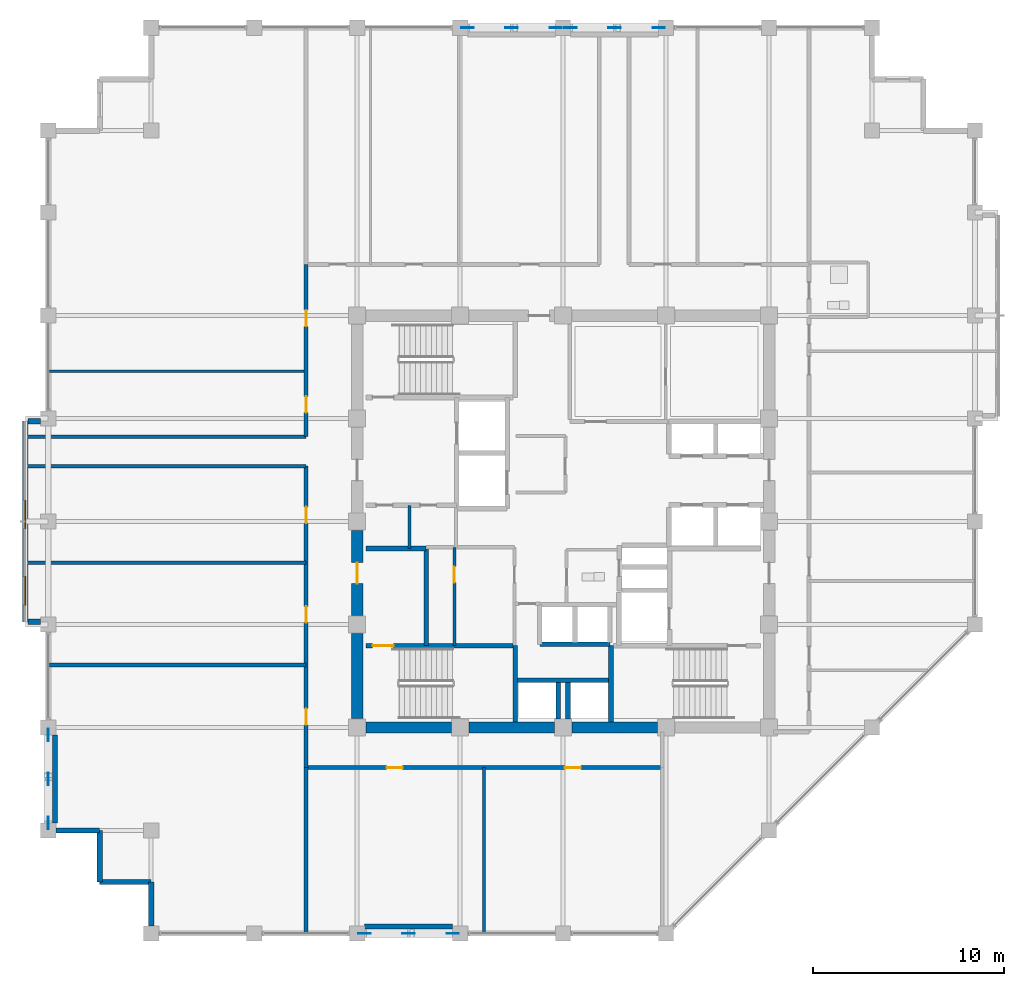
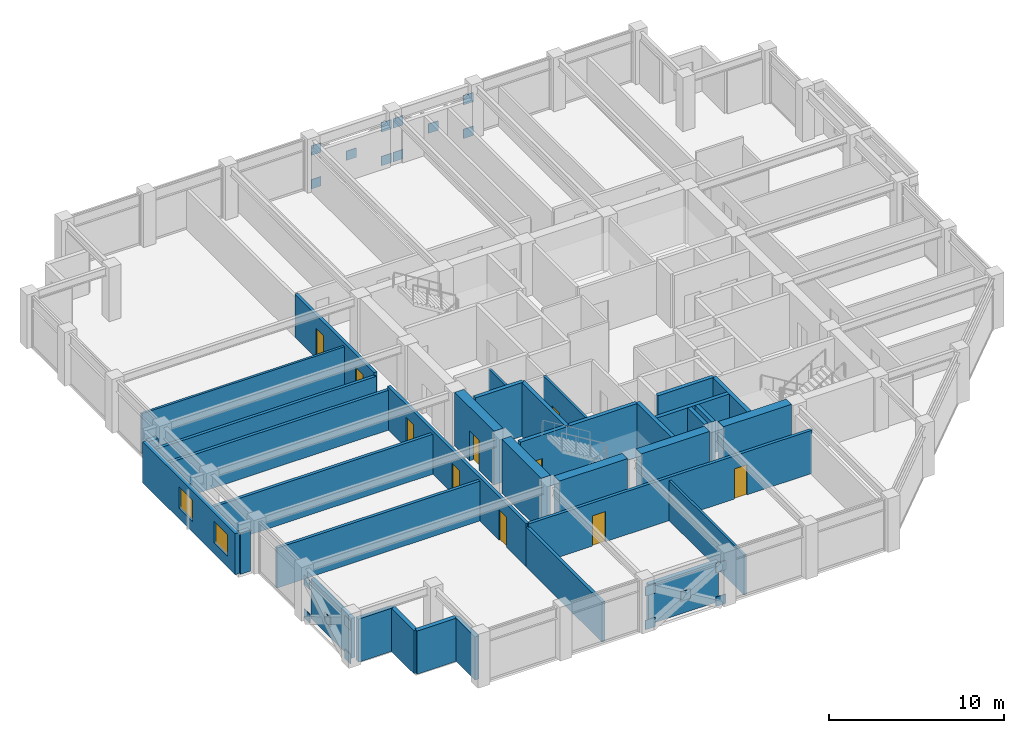
# One storey, part 24 of 30: 35 walls, 20 plates, 10 doors, 2 windows, 12 openings.
"""IFC4 building model written with IfcOpenShell, lengths in metres."""

from ifc_helpers import new_model, si_unit, direction, frame, frame_2d, origin, origin_2d, place, context, subcontext, project, spatial, rectangle, extrude, material, layer, layer_set, type_object, element, fill, save


model = new_model("IFC4")

# Units and contexts
model_context = context("Model", 3, precision=1e-05, world=origin(), true_north=direction((0.0, 1.0)))
body_context = subcontext(model_context, "Body", "Model", "MODEL_VIEW")
ifc_project = project(units=[si_unit("LENGTHUNIT", "METRE"), si_unit("AREAUNIT", "SQUARE_METRE"), si_unit("VOLUMEUNIT", "CUBIC_METRE"), si_unit("PLANEANGLEUNIT", "RADIAN"), si_unit("MASSUNIT", "GRAM", prefix="KILO")], contexts=[model_context])

# Site, building, storey
site_placement = place(None, origin())
site = spatial("IfcSite", under=ifc_project, at=site_placement, CompositionType="ELEMENT")
building_placement = place(site_placement, origin())
building = spatial("IfcBuilding", under=site, at=building_placement, Name="Surkhivell Harbour Commons", CompositionType="ELEMENT")
storey_placement = place(building_placement, frame((0.0, 0.0, 227.25)))
storey = spatial("IfcBuildingStorey", under=building, at=storey_placement, Name="L59", CompositionType="ELEMENT", Elevation=227.25)

# Plates
ifc_material_1 = material(Name="Steel S460", Category="steel")
ifc_layer_1 = layer(ifc_material_1, 0.044921875)
ifc_layer_set_1 = layer_set([ifc_layer_1], Name="Steel S460")
plate_type = type_object("IfcPlateType", Name="PLT-GUS-650", PredefinedType="USERDEFINED", material=ifc_layer_set_1)
for number, where, z_axis, x_axis, name in (
    (1, (-5.014892578125, 25.89990234375, -0.08935546875), (0.0, 0.0, 1.0), (1.0, 0.0, 0.0), "L59 Perimeter Mega-Brace MB- Corner Gusset N-1"),
    (2, (-0.385009765625, 25.89990234375, -0.08935546875), (0.0, 0.0, 1.0), (1.0, 0.0, 0.0), "L59 Perimeter Mega-Brace MB- Corner Gusset N-2"),
    (3, (-5.014892578125, 25.89990234375, 2.25146484375), (0.0, 0.0, 1.0), (1.0, 0.0, 0.0), "L59 Perimeter Mega-Brace MB- Corner Gusset N-3"),
    (4, (-0.385009765625, 25.89990234375, 2.25146484375), (0.0, 0.0, 1.0), (1.0, 0.0, 0.0), "L59 Perimeter Mega-Brace MB- Corner Gusset N-4"),
    (5, (-2.699951171875, 25.89990234375, 1.0810546875), (0.0, 0.0, 1.0), (1.0, 0.0, 0.0), "L59 Perimeter Mega-Brace MB- Central Crossing Gusset N"),
    (6, (0.385009765625, 25.89990234375, -0.08935546875), (0.0, 0.0, 1.0), (1.0, 0.0, 0.0), "L59 Perimeter Mega-Brace MB- Corner Gusset N2-1"),
    (7, (5.014892578125, 25.89990234375, -0.08935546875), (0.0, 0.0, 1.0), (1.0, 0.0, 0.0), "L59 Perimeter Mega-Brace MB- Corner Gusset N2-2"),
    (8, (0.385009765625, 25.89990234375, 2.25146484375), (0.0, 0.0, 1.0), (1.0, 0.0, 0.0), "L59 Perimeter Mega-Brace MB- Corner Gusset N2-3"),
    (9, (5.014892578125, 25.89990234375, 2.25146484375), (0.0, 0.0, 1.0), (1.0, 0.0, 0.0), "L59 Perimeter Mega-Brace MB- Corner Gusset N2-4"),
    (10, (2.699951171875, 25.89990234375, 1.0810546875), (0.0, 0.0, 1.0), (1.0, 0.0, 0.0), "L59 Perimeter Mega-Brace MB- Central Crossing Gusset N2"),
    (11, (-10.4150390625, -21.60009765625, -0.08935546875), (0.0, 0.0, 1.0), (1.0, 0.0, 0.0), "L59 Perimeter Mega-Brace MB- Corner Gusset S-1"),
    (12, (-5.784912109375, -21.60009765625, -0.08935546875), (0.0, 0.0, 1.0), (1.0, 0.0, 0.0), "L59 Perimeter Mega-Brace MB- Corner Gusset S-2"),
    (13, (-10.4150390625, -21.60009765625, 2.25146484375), (0.0, 0.0, 1.0), (1.0, 0.0, 0.0), "L59 Perimeter Mega-Brace MB- Corner Gusset S-3"),
    (14, (-5.784912109375, -21.60009765625, 2.25146484375), (0.0, 0.0, 1.0), (1.0, 0.0, 0.0), "L59 Perimeter Mega-Brace MB- Corner Gusset S-4"),
    (15, (-8.10009765625, -21.60009765625, 1.0810546875), (0.0, 0.0, 1.0), (1.0, 0.0, 0.0), "L59 Perimeter Mega-Brace MB- Central Crossing Gusset S"),
    (16, (-27.0, -15.81494140625, -0.08935546875), (0.0, 0.0, 1.0), (0.0, 1.0, 0.0), "L59 Perimeter Mega-Brace MB- Corner Gusset W-1"),
    (17, (-27.0, -11.18505859375, -0.08935546875), (0.0, 0.0, 1.0), (0.0, 1.0, 0.0), "L59 Perimeter Mega-Brace MB- Corner Gusset W-2"),
    (18, (-27.0, -15.81494140625, 2.25146484375), (0.0, 0.0, 1.0), (0.0, 1.0, 0.0), "L59 Perimeter Mega-Brace MB- Corner Gusset W-3"),
    (19, (-27.0, -11.18505859375, 2.25146484375), (0.0, 0.0, 1.0), (0.0, 1.0, 0.0), "L59 Perimeter Mega-Brace MB- Corner Gusset W-4"),
    (20, (-27.0, -13.5, 1.0810546875), (0.0, 0.0, 1.0), (0.0, 1.0, 0.0), "L59 Perimeter Mega-Brace MB- Central Crossing Gusset W"),
):
    element("IfcPlate", number, at=place(storey_placement, frame(where, z_axis=z_axis, x_axis=x_axis)), inside=storey, type_object=plate_type, Name=name, ObjectType="GUSSET_PLATE", PredefinedType="USERDEFINED", context=body_context, shape_type="SweptSolid", body=[
        extrude(rectangle(XDim=0.64990234375, YDim=0.044921875, at=origin_2d()), origin(), (0.0, 0.0, 1.0), 0.64990234375),
    ])

# Walls
ifc_material_2 = material(Name="Concrete C60/75", Category="concrete")
ifc_layer_2 = layer(ifc_material_2, 0.60009765625)
ifc_layer_set_2 = layer_set([ifc_layer_2], Name="Concrete C60/75")
wall_type_1 = type_object("IfcWallType", Name="WAL-CORE-600", PredefinedType="SHEAR", material=ifc_layer_set_2)
for number, where, z_axis, x_axis, name in (
    (21, (-10.340087890625, -10.800048828125, 0.0), (0.0, 0.0, 1.0), (1.0, 0.0, 0.0), "L59 Core Shear Wall South 1"),
    (22, (-10.800048828125, -10.340087890625, 0.0), (0.0, 0.0, 1.0), (0.0, 1.0, 0.0), "L59 Core Shear Wall West 1"),
    (23, (-4.93994140625, -10.800048828125, 0.0), (0.0, 0.0, 1.0), (1.0, 0.0, 0.0), "L59 Core Shear Wall South 2"),
):
    element("IfcWall", number, at=place(storey_placement, frame(where, z_axis=z_axis, x_axis=x_axis)), inside=storey, type_object=wall_type_1, Name=name, PredefinedType="SHEAR", context=body_context, shape_type="SweptSolid", body=[
        extrude(rectangle(XDim=4.47998046875, YDim=0.60009765625, at=frame_2d((2.239990234375, 0.0))), origin(), (0.0, 0.0, 1.0), 3.75),
    ])

# Wall, opening, door
wall_1_placement = place(storey_placement, frame((-10.800048828125, -4.93994140625, 0.0), z_axis=(0.0, 0.0, 1.0), x_axis=(0.0, 1.0, 0.0)))
wall_1 = element("IfcWall", 24, at=wall_1_placement, inside=storey, type_object=wall_type_1, Name="L59 Core Shear Wall West 2", PredefinedType="SHEAR", context=body_context, shape_type="SweptSolid", body=[
    extrude(rectangle(XDim=4.47998046875, YDim=0.60009765625, at=frame_2d((2.239990234375, 0.0))), origin(), (0.0, 0.0, 1.0), 3.75),
])
opening_1_placement = place(wall_1_placement, frame((1.68994140625, 0.0, 0.0)))
opening_1 = element("IfcOpeningElement", 25, at=opening_1_placement, cuts=wall_1, Name="Opening ID-2", PredefinedType="OPENING", context=body_context, shape_type="SweptSolid", body=[
    extrude(rectangle(XDim=1.10009765625, YDim=2.10009765625, at=frame_2d((0.550048828125, 1.050048828125))), frame((0.0, 0.31005859375, 0.0), z_axis=(0.0, -1.0, 0.0), x_axis=(1.0, 0.0, 0.0)), (0.0, 0.0, 1.0), 0.6201171875),
])
ifc_material_3 = material(Name="Hardwood-veneered fire-rated door leaf", Category="wood")
door_type_1 = type_object("IfcDoorType", Name="DOR-FD60-1100", OperationType="NOTDEFINED", PredefinedType="DOOR", material=ifc_material_3)
door_1_placement = place(opening_1_placement, origin())
door_1 = element("IfcDoor", 26, at=door_1_placement, inside=storey, type_object=door_type_1, Name="L59 Stair 3 Lobby Corridor Door", OperationType="SINGLE_SWING_LEFT", OverallHeight=2.10009765625, OverallWidth=1.10009765625, PredefinedType="DOOR", context=body_context, shape_type="SweptSolid", body=[
    extrude(rectangle(XDim=1.10009765625, YDim=2.10009765625, at=frame_2d((0.550048828125, 1.050048828125))), frame((0.0, 0.02490234375, 0.0), z_axis=(0.0, -1.0, 0.0), x_axis=(1.0, 0.0, 0.0)), (0.0, 0.0, 1.0), 0.050048828125),
])
fill(opening_1, door_1)

# Walls
wall_2_placement = place(storey_placement, frame((0.4599609375, -10.800048828125, 0.0), z_axis=(0.0, 0.0, 1.0), x_axis=(1.0, 0.0, 0.0)))
element("IfcWall", 27, at=wall_2_placement, inside=storey, type_object=wall_type_1, Name="L59 Core Shear Wall South 3", PredefinedType="SHEAR", context=body_context, shape_type="SweptSolid", body=[
    extrude(rectangle(XDim=4.47998046875, YDim=0.60009765625, at=frame_2d((2.239990234375, 0.0))), origin(), (0.0, 0.0, 1.0), 3.75),
])
ifc_material_4 = material(Name="Pale-metal insulated precast concrete C45/55", Category="concrete")
ifc_layer_3 = layer(ifc_material_4, 0.260009765625)
ifc_layer_set_3 = layer_set([ifc_layer_3], Name="Pale-metal insulated precast concrete C45/55")
wall_type_2 = type_object("IfcWallType", Name="WAL-EXT-MTL260", PredefinedType="STANDARD", material=ifc_layer_set_3)
for number, where, z_axis, x_axis, name in (
    (28, (-10.402099609375, -21.239990234375, 0.0), (0.0, 0.0, 1.0), (1.0, 0.0, 0.0), "L59 Braced-Bay Insulated Spandrel Backing S"),
    (29, (-26.639892578125, -15.802001953125, 0.0), (0.0, 0.0, 1.0), (0.0, 1.0, 0.0), "L59 Braced-Bay Insulated Spandrel Backing W"),
):
    element("IfcWall", number, at=place(storey_placement, frame(where, z_axis=z_axis, x_axis=x_axis)), inside=storey, type_object=wall_type_2, Name=name, PredefinedType="STANDARD", context=body_context, shape_type="SweptSolid", body=[
        extrude(rectangle(XDim=4.60400390625, YDim=0.260009765625, at=frame_2d((2.302001953125, 0.0))), origin(), (0.0, 0.0, 1.0), 2.780029296875),
    ])

# Wall, openings, windows
ifc_material_5 = material(Name="Terracotta-clad reinforced concrete C45/55", Category="masonry")
ifc_layer_4 = layer(ifc_material_5, 0.280029296875)
ifc_layer_set_4 = layer_set([ifc_layer_4], Name="Terracotta-clad reinforced concrete C45/55")
wall_type_3 = type_object("IfcWallType", Name="WAL-EXT-TER280", PredefinedType="STANDARD", material=ifc_layer_set_4)
wall_3_placement = place(storey_placement, frame((-28.199951171875, 5.280029296875, 0.0), z_axis=(0.0, 0.0, 1.0), x_axis=(0.0, -1.0, 0.0)))
wall_3 = element("IfcWall", 30, at=wall_3_placement, inside=storey, type_object=wall_type_3, Name="L59 Coloured Box Front Wall 02", PredefinedType="STANDARD", context=body_context, shape_type="SweptSolid", body=[
    extrude(rectangle(XDim=10.56005859375, YDim=0.280029296875, at=frame_2d((5.280029296875, 0.0))), origin(), (0.0, 0.0, 1.0), 2.85693359375),
])
opening_2_placement = place(wall_3_placement, frame((4.159912109375, 0.0, 0.75)))
opening_2 = element("IfcOpeningElement", 31, at=opening_2_placement, cuts=wall_3, Name="Opening WN-13", PredefinedType="OPENING", context=body_context, shape_type="SweptSolid", body=[
    extrude(rectangle(XDim=1.5, YDim=1.5, at=frame_2d((0.75, 0.75))), frame((0.0, 0.14990234375, 0.0), z_axis=(0.0, -1.0, 0.0), x_axis=(1.0, 0.0, 0.0)), (0.0, 0.0, 1.0), 0.300048828125),
])
opening_3_placement = place(wall_3_placement, frame((8.159912109375, 0.0, 0.75)))
opening_3 = element("IfcOpeningElement", 32, at=opening_3_placement, cuts=wall_3, Name="Opening WN-13", PredefinedType="OPENING", context=body_context, shape_type="SweptSolid", body=[
    extrude(rectangle(XDim=1.5, YDim=1.5, at=frame_2d((0.75, 0.75))), frame((0.0, 0.14990234375, 0.0), z_axis=(0.0, -1.0, 0.0), x_axis=(1.0, 0.0, 0.0)), (0.0, 0.0, 1.0), 0.300048828125),
])
ifc_material_6 = material(Name="Thermal-break aluminium frame and double low-E glazing", Category="aluminium")
window_type = type_object("IfcWindowType", Name="WIN-BOX-1500x1500", PartitioningType="SINGLE_PANEL", PredefinedType="WINDOW", material=ifc_material_6)
window_1_placement = place(opening_2_placement, origin())
window_1 = element("IfcWindow", 33, at=window_1_placement, inside=storey, type_object=window_type, Name="L59 Coloured Box Square Window 02-1", OverallHeight=1.5, OverallWidth=1.5, PartitioningType="SINGLE_PANEL", PredefinedType="WINDOW", context=body_context, shape_type="SweptSolid", body=[
    extrude(rectangle(XDim=1.5, YDim=1.5, at=frame_2d((0.75, 0.75))), frame((0.0, 0.030029296875, 0.0), z_axis=(0.0, -1.0, 0.0), x_axis=(1.0, 0.0, 0.0)), (0.0, 0.0, 1.0), 0.06005859375),
])
fill(opening_2, window_1)
window_2_placement = place(opening_3_placement, origin())
window_2 = element("IfcWindow", 34, at=window_2_placement, inside=storey, type_object=window_type, Name="L59 Coloured Box Square Window 02-2", OverallHeight=1.5, OverallWidth=1.5, PartitioningType="SINGLE_PANEL", PredefinedType="WINDOW", context=body_context, shape_type="SweptSolid", body=[
    extrude(rectangle(XDim=1.5, YDim=1.5, at=frame_2d((0.75, 0.75))), frame((0.0, 0.030029296875, 0.0), z_axis=(0.0, -1.0, 0.0), x_axis=(1.0, 0.0, 0.0)), (0.0, 0.0, 1.0), 0.06005859375),
])
fill(opening_3, window_2)

# Walls
for number, where, z_axis, x_axis, name in (
    (35, (-28.06005859375, -5.260009765625, 0.0), (0.0, 0.0, 1.0), (1.0, 0.0, 0.0), "L59 Coloured Box Return Wall 02S"),
    (36, (-28.06005859375, 5.260009765625, 0.0), (0.0, 0.0, 1.0), (1.0, 0.0, 0.0), "L59 Coloured Box Return Wall 02N"),
):
    element("IfcWall", number, at=place(storey_placement, frame(where, z_axis=z_axis, x_axis=x_axis)), inside=storey, type_object=wall_type_3, Name=name, PredefinedType="STANDARD", context=body_context, shape_type="SweptSolid", body=[
        extrude(rectangle(XDim=0.656005859375, YDim=0.280029296875, at=frame_2d((0.328125, 0.0))), origin(), (0.0, 0.0, 1.0), 2.85693359375),
    ])
wall_4_placement = place(storey_placement, frame((-26.60205078125, -16.199951171875, 0.0), z_axis=(0.0, 0.0, 1.0), x_axis=(1.0, 0.0, 0.0)))
element("IfcWall", 37, at=wall_4_placement, inside=storey, type_object=wall_type_3, Name="L59 Serrated Corner Facade Wall 13", PredefinedType="STANDARD", context=body_context, shape_type="SweptSolid", body=[
    extrude(rectangle(XDim=2.302001953125, YDim=0.280029296875, at=frame_2d((1.15087890625, 0.0))), origin(), (0.0, 0.0, 1.0), 3.006103515625),
])
for number, where, z_axis, x_axis, name in (
    (38, (-24.300048828125, -16.199951171875, 0.0), (0.0, 0.0, 1.0), (0.0, -1.0, 0.0), "L59 Serrated Corner Facade Wall 14"),
    (39, (-24.300048828125, -18.89990234375, 0.0), (0.0, 0.0, 1.0), (1.0, 0.0, 0.0), "L59 Serrated Corner Facade Wall 15"),
):
    element("IfcWall", number, at=place(storey_placement, frame(where, z_axis=z_axis, x_axis=x_axis)), inside=storey, type_object=wall_type_3, Name=name, PredefinedType="STANDARD", context=body_context, shape_type="SweptSolid", body=[
        extrude(rectangle(XDim=2.699951171875, YDim=0.280029296875, at=frame_2d((1.35009765625, 0.0))), origin(), (0.0, 0.0, 1.0), 3.006103515625),
    ])
wall_5_placement = place(storey_placement, frame((-21.60009765625, -18.89990234375, 0.0), z_axis=(0.0, 0.0, 1.0), x_axis=(0.0, -1.0, 0.0)))
element("IfcWall", 40, at=wall_5_placement, inside=storey, type_object=wall_type_3, Name="L59 Serrated Corner Facade Wall 16", PredefinedType="STANDARD", context=body_context, shape_type="SweptSolid", body=[
    extrude(rectangle(XDim=2.302001953125, YDim=0.280029296875, at=frame_2d((1.15087890625, 0.0))), origin(), (0.0, 0.0, 1.0), 3.006103515625),
])

# Wall, opening, door
ifc_material_7 = material(Name="Twin-stud acoustic fireboard partition", Category="other")
ifc_layer_5 = layer(ifc_material_7, 0.14990234375)
ifc_layer_set_5 = layer_set([ifc_layer_5], Name="Twin-stud acoustic fireboard partition")
wall_type_4 = type_object("IfcWallType", Name="WAL-INT-150", PredefinedType="PARTITIONING", material=ifc_layer_set_5)
wall_6_placement = place(storey_placement, frame((-5.699951171875, -6.510009765625, 0.0), z_axis=(0.0, 0.0, 1.0), x_axis=(0.0, 1.0, 0.0)))
wall_6 = element("IfcWall", 41, at=wall_6_placement, inside=storey, type_object=wall_type_4, Name="L59 Core Cut B Partition", PredefinedType="PARTITIONING", context=body_context, shape_type="SweptSolid", body=[
    extrude(rectangle(XDim=5.159912109375, YDim=0.14990234375, at=frame_2d((2.580078125, 0.0))), origin(), (0.0, 0.0, 1.0), 3.570068359375),
])
opening_4_placement = place(wall_6_placement, frame((3.300048828125, 0.0, 0.0)))
opening_4 = element("IfcOpeningElement", 42, at=opening_4_placement, cuts=wall_6, Name="Opening ID-6", PredefinedType="OPENING", context=body_context, shape_type="SweptSolid", body=[
    extrude(rectangle(XDim=0.85009765625, YDim=2.10009765625, at=frame_2d((0.425048828125, 1.050048828125))), frame((0.0, 0.0849609375, 0.0), z_axis=(0.0, -1.0, 0.0), x_axis=(1.0, 0.0, 0.0)), (0.0, 0.0, 1.0), 0.169921875),
])
door_type_2 = type_object("IfcDoorType", Name="DOR-FD30-850", OperationType="NOTDEFINED", PredefinedType="DOOR", material=ifc_material_3)
door_2_placement = place(opening_4_placement, origin())
door_2 = element("IfcDoor", 43, at=door_2_placement, inside=storey, type_object=door_type_2, Name="L59 Core Focus Study Door", OperationType="SINGLE_SWING_RIGHT", OverallHeight=2.10009765625, OverallWidth=0.85009765625, PredefinedType="DOOR", context=body_context, shape_type="SweptSolid", body=[
    extrude(rectangle(XDim=0.85009765625, YDim=2.10009765625, at=frame_2d((0.425048828125, 1.050048828125))), frame((0.0, 0.02490234375, 0.0), z_axis=(0.0, -1.0, 0.0), x_axis=(1.0, 0.0, 0.0)), (0.0, 0.0, 1.0), 0.050048828125),
])
fill(opening_4, door_2)

# Walls
wall_7_placement = place(storey_placement, frame((-8.050048828125, -1.419921875, 0.0), z_axis=(0.0, 0.0, 1.0), x_axis=(0.0, 1.0, 0.0)))
element("IfcWall", 44, at=wall_7_placement, inside=storey, type_object=wall_type_4, Name="L59 West Seminar Booth Divider", PredefinedType="PARTITIONING", context=body_context, shape_type="SweptSolid", body=[
    extrude(rectangle(XDim=2.27001953125, YDim=0.14990234375, at=frame_2d((1.135009765625, 0.0))), origin(), (0.0, 0.0, 1.0), 3.570068359375),
])
wall_8_placement = place(storey_placement, frame((-4.139892578125, -21.5400390625, 0.0), z_axis=(0.0, 0.0, 1.0), x_axis=(0.0, 1.0, 0.0)))
element("IfcWall", 45, at=wall_8_placement, inside=storey, type_object=wall_type_4, Name="L59 South Partition P1", PredefinedType="PARTITIONING", context=body_context, shape_type="SweptSolid", body=[
    extrude(rectangle(XDim=8.64013671875, YDim=0.14990234375, at=frame_2d((4.320068359375, 0.0))), origin(), (0.0, 0.0, 1.0), 2.780029296875),
])
wall_9_placement = place(storey_placement, frame((-26.93994140625, 7.8798828125, 0.0), z_axis=(0.0, 0.0, 1.0), x_axis=(1.0, 0.0, 0.0)))
element("IfcWall", 46, at=wall_9_placement, inside=storey, type_object=wall_type_4, Name="L59 North-West Partition P1", PredefinedType="PARTITIONING", context=body_context, shape_type="SweptSolid", body=[
    extrude(rectangle(XDim=13.4599609375, YDim=0.14990234375, at=frame_2d((6.72998046875, 0.0))), origin(), (0.0, 0.0, 1.0), 2.780029296875),
])
ifc_material_8 = material(Name="Autoclaved aerated concrete blockwork and fire plaster", Category="masonry")
ifc_layer_6 = layer(ifc_material_8, 0.199951171875)
ifc_layer_set_6 = layer_set([ifc_layer_6], Name="Autoclaved aerated concrete blockwork and fire plaster")
wall_type_5 = type_object("IfcWallType", Name="WAL-INT-200", PredefinedType="PARTITIONING", material=ifc_layer_set_6)
wall_10_placement = place(storey_placement, frame((-13.47998046875, -21.5400390625, 0.0), z_axis=(0.0, 0.0, 1.0), x_axis=(0.0, 1.0, 0.0)))
element("IfcWall", 47, at=wall_10_placement, inside=storey, type_object=wall_type_5, Name="L59 South-West Corner Wall", PredefinedType="PARTITIONING", context=body_context, shape_type="SweptSolid", body=[
    extrude(rectangle(XDim=8.64013671875, YDim=0.199951171875, at=frame_2d((4.320068359375, 0.0))), origin(), (0.0, 0.0, 1.0), 2.780029296875),
])

# Wall, openings, doors
wall_11_placement = place(storey_placement, frame((-13.47998046875, -12.89990234375, 0.0), z_axis=(0.0, 0.0, 1.0), x_axis=(1.0, 0.0, 0.0)))
wall_11 = element("IfcWall", 48, at=wall_11_placement, inside=storey, type_object=wall_type_5, Name="L59 Corridor South Wall", PredefinedType="PARTITIONING", context=body_context, shape_type="SweptSolid", body=[
    extrude(rectangle(XDim=18.679931640625, YDim=0.199951171875, at=frame_2d((9.33984375, 0.0))), origin(), (0.0, 0.0, 1.0), 3.006103515625),
])
opening_5_placement = place(wall_11_placement, frame((4.219970703125, 0.0, 0.0)))
opening_5 = element("IfcOpeningElement", 49, at=opening_5_placement, cuts=wall_11, Name="Opening ID-6", PredefinedType="OPENING", context=body_context, shape_type="SweptSolid", body=[
    extrude(rectangle(XDim=0.85009765625, YDim=2.10009765625, at=frame_2d((0.425048828125, 1.050048828125))), frame((0.0, 0.10986328125, 0.0), z_axis=(0.0, -1.0, 0.0), x_axis=(1.0, 0.0, 0.0)), (0.0, 0.0, 1.0), 0.219970703125),
])
opening_6_placement = place(wall_11_placement, frame((13.56005859375, 0.0, 0.0)))
opening_6 = element("IfcOpeningElement", 50, at=opening_6_placement, cuts=wall_11, Name="Opening ID-6", PredefinedType="OPENING", context=body_context, shape_type="SweptSolid", body=[
    extrude(rectangle(XDim=0.85009765625, YDim=2.10009765625, at=frame_2d((0.425048828125, 1.050048828125))), frame((0.0, 0.10986328125, 0.0), z_axis=(0.0, -1.0, 0.0), x_axis=(1.0, 0.0, 0.0)), (0.0, 0.0, 1.0), 0.219970703125),
])
door_3_placement = place(opening_5_placement, origin())
door_3 = element("IfcDoor", 51, at=door_3_placement, inside=storey, type_object=door_type_2, Name="L59 Campus Co-Op Bookshop South Door", OperationType="SINGLE_SWING_LEFT", OverallHeight=2.10009765625, OverallWidth=0.85009765625, PredefinedType="DOOR", context=body_context, shape_type="SweptSolid", body=[
    extrude(rectangle(XDim=0.85009765625, YDim=2.10009765625, at=frame_2d((0.425048828125, 1.050048828125))), frame((0.0, 0.02490234375, 0.0), z_axis=(0.0, -1.0, 0.0), x_axis=(1.0, 0.0, 0.0)), (0.0, 0.0, 1.0), 0.050048828125),
])
fill(opening_5, door_3)
door_4_placement = place(opening_6_placement, origin())
door_4 = element("IfcDoor", 52, at=door_4_placement, inside=storey, type_object=door_type_2, Name="L59 Harbour Espresso Cafe Shop South Door", OperationType="SINGLE_SWING_RIGHT", OverallHeight=2.10009765625, OverallWidth=0.85009765625, PredefinedType="DOOR", context=body_context, shape_type="SweptSolid", body=[
    extrude(rectangle(XDim=0.85009765625, YDim=2.10009765625, at=frame_2d((0.425048828125, 1.050048828125))), frame((0.0, 0.02490234375, 0.0), z_axis=(0.0, -1.0, 0.0), x_axis=(1.0, 0.0, 0.0)), (0.0, 0.0, 1.0), 0.050048828125),
])
fill(opening_6, door_4)

# Walls
for number, where, z_axis, x_axis, name in (
    (53, (-28.139892578125, 4.449951171875, 0.0), (0.0, 0.0, 1.0), (1.0, 0.0, 0.0), "L59 West Spur North Wall"),
    (54, (-28.139892578125, 2.89990234375, 0.0), (0.0, 0.0, 1.0), (1.0, 0.0, 0.0), "L59 West Spur South Wall"),
):
    element("IfcWall", number, at=place(storey_placement, frame(where, z_axis=z_axis, x_axis=x_axis)), inside=storey, type_object=wall_type_5, Name=name, PredefinedType="PARTITIONING", context=body_context, shape_type="SweptSolid", body=[
        extrude(rectangle(XDim=14.659912109375, YDim=0.199951171875, at=frame_2d((7.330078125, 0.0))), origin(), (0.0, 0.0, 1.0), 2.780029296875),
    ])

# Wall, openings, doors
wall_12_placement = place(storey_placement, frame((-13.47998046875, 4.449951171875, 0.0), z_axis=(0.0, 0.0, 1.0), x_axis=(0.0, 1.0, 0.0)))
wall_12 = element("IfcWall", 55, at=wall_12_placement, inside=storey, type_object=wall_type_5, Name="L59 Corridor West-Upper Wall", PredefinedType="PARTITIONING", context=body_context, shape_type="SweptSolid", body=[
    extrude(rectangle(XDim=9.030029296875, YDim=0.199951171875, at=frame_2d((4.51513671875, 0.0))), origin(), (0.0, 0.0, 1.0), 3.006103515625),
])
opening_7_placement = place(wall_12_placement, frame((1.264892578125, 0.0, 0.0)))
opening_7 = element("IfcOpeningElement", 56, at=opening_7_placement, cuts=wall_12, Name="Opening ID-6", PredefinedType="OPENING", context=body_context, shape_type="SweptSolid", body=[
    extrude(rectangle(XDim=0.85009765625, YDim=2.10009765625, at=frame_2d((0.425048828125, 1.050048828125))), frame((0.0, 0.10986328125, 0.0), z_axis=(0.0, -1.0, 0.0), x_axis=(1.0, 0.0, 0.0)), (0.0, 0.0, 1.0), 0.219970703125),
])
opening_8_placement = place(wall_12_placement, frame((5.780029296875, 0.0, 0.0)))
opening_8 = element("IfcOpeningElement", 57, at=opening_8_placement, cuts=wall_12, Name="Opening ID-6", PredefinedType="OPENING", context=body_context, shape_type="SweptSolid", body=[
    extrude(rectangle(XDim=0.85009765625, YDim=2.10009765625, at=frame_2d((0.425048828125, 1.050048828125))), frame((0.0, 0.10986328125, 0.0), z_axis=(0.0, -1.0, 0.0), x_axis=(1.0, 0.0, 0.0)), (0.0, 0.0, 1.0), 0.219970703125),
])
door_5_placement = place(opening_7_placement, origin())
door_5 = element("IfcDoor", 58, at=door_5_placement, inside=storey, type_object=door_type_2, Name="L59 Harbour Reading Library North-West Door", OperationType="SINGLE_SWING_LEFT", OverallHeight=2.10009765625, OverallWidth=0.85009765625, PredefinedType="DOOR", context=body_context, shape_type="SweptSolid", body=[
    extrude(rectangle(XDim=0.85009765625, YDim=2.10009765625, at=frame_2d((0.425048828125, 1.050048828125))), frame((0.0, 0.02490234375, 0.0), z_axis=(0.0, -1.0, 0.0), x_axis=(1.0, 0.0, 0.0)), (0.0, 0.0, 1.0), 0.050048828125),
])
fill(opening_7, door_5)
door_6_placement = place(opening_8_placement, origin())
door_6 = element("IfcDoor", 59, at=door_6_placement, inside=storey, type_object=door_type_2, Name="L59 Communal Dining Hall North-West Door", OperationType="SINGLE_SWING_RIGHT", OverallHeight=2.10009765625, OverallWidth=0.85009765625, PredefinedType="DOOR", context=body_context, shape_type="SweptSolid", body=[
    extrude(rectangle(XDim=0.85009765625, YDim=2.10009765625, at=frame_2d((0.425048828125, 1.050048828125))), frame((0.0, 0.02490234375, 0.0), z_axis=(0.0, -1.0, 0.0), x_axis=(1.0, 0.0, 0.0)), (0.0, 0.0, 1.0), 0.050048828125),
])
fill(opening_8, door_6)

wall_13_placement = place(storey_placement, frame((-13.47998046875, -12.89990234375, 0.0), z_axis=(0.0, 0.0, 1.0), x_axis=(0.0, 1.0, 0.0)))
wall_13 = element("IfcWall", 60, at=wall_13_placement, inside=storey, type_object=wall_type_5, Name="L59 Corridor West-Lower Wall", PredefinedType="PARTITIONING", context=body_context, shape_type="SweptSolid", body=[
    extrude(rectangle(XDim=15.7998046875, YDim=0.199951171875, at=frame_2d((7.89990234375, 0.0))), origin(), (0.0, 0.0, 1.0), 3.006103515625),
])
opening_9_placement = place(wall_13_placement, frame((2.235107421875, 0.0, 0.0)))
opening_9 = element("IfcOpeningElement", 61, at=opening_9_placement, cuts=wall_13, Name="Opening ID-6", PredefinedType="OPENING", context=body_context, shape_type="SweptSolid", body=[
    extrude(rectangle(XDim=0.85009765625, YDim=2.10009765625, at=frame_2d((0.425048828125, 1.050048828125))), frame((0.0, 0.10986328125, 0.0), z_axis=(0.0, -1.0, 0.0), x_axis=(1.0, 0.0, 0.0)), (0.0, 0.0, 1.0), 0.219970703125),
])
opening_10_placement = place(wall_13_placement, frame((7.60498046875, 0.0, 0.0)))
opening_10 = element("IfcOpeningElement", 62, at=opening_10_placement, cuts=wall_13, Name="Opening ID-6", PredefinedType="OPENING", context=body_context, shape_type="SweptSolid", body=[
    extrude(rectangle(XDim=0.85009765625, YDim=2.10009765625, at=frame_2d((0.425048828125, 1.050048828125))), frame((0.0, 0.10986328125, 0.0), z_axis=(0.0, -1.0, 0.0), x_axis=(1.0, 0.0, 0.0)), (0.0, 0.0, 1.0), 0.219970703125),
])
opening_11_placement = place(wall_13_placement, frame((12.820068359375, 0.0, 0.0)))
opening_11 = element("IfcOpeningElement", 63, at=opening_11_placement, cuts=wall_13, Name="Opening ID-6", PredefinedType="OPENING", context=body_context, shape_type="SweptSolid", body=[
    extrude(rectangle(XDim=0.85009765625, YDim=2.10009765625, at=frame_2d((0.425048828125, 1.050048828125))), frame((0.0, 0.10986328125, 0.0), z_axis=(0.0, -1.0, 0.0), x_axis=(1.0, 0.0, 0.0)), (0.0, 0.0, 1.0), 0.219970703125),
])
door_7_placement = place(opening_9_placement, origin())
door_7 = element("IfcDoor", 64, at=door_7_placement, inside=storey, type_object=door_type_2, Name="L59 Academic Seminar Room 1 South-West Door", OperationType="SINGLE_SWING_LEFT", OverallHeight=2.10009765625, OverallWidth=0.85009765625, PredefinedType="DOOR", context=body_context, shape_type="SweptSolid", body=[
    extrude(rectangle(XDim=0.85009765625, YDim=2.10009765625, at=frame_2d((0.425048828125, 1.050048828125))), frame((0.0, 0.02490234375, 0.0), z_axis=(0.0, -1.0, 0.0), x_axis=(1.0, 0.0, 0.0)), (0.0, 0.0, 1.0), 0.050048828125),
])
fill(opening_9, door_7)
door_8_placement = place(opening_10_placement, origin())
door_8 = element("IfcDoor", 65, at=door_8_placement, inside=storey, type_object=door_type_2, Name="L59 Academic Seminar Room 2 South-West Door", OperationType="SINGLE_SWING_RIGHT", OverallHeight=2.10009765625, OverallWidth=0.85009765625, PredefinedType="DOOR", context=body_context, shape_type="SweptSolid", body=[
    extrude(rectangle(XDim=0.85009765625, YDim=2.10009765625, at=frame_2d((0.425048828125, 1.050048828125))), frame((0.0, 0.02490234375, 0.0), z_axis=(0.0, -1.0, 0.0), x_axis=(1.0, 0.0, 0.0)), (0.0, 0.0, 1.0), 0.050048828125),
])
fill(opening_10, door_8)
door_9_placement = place(opening_11_placement, origin())
door_9 = element("IfcDoor", 66, at=door_9_placement, inside=storey, type_object=door_type_2, Name="L59 Academic Seminar Room 3 South-West Door", OperationType="SINGLE_SWING_LEFT", OverallHeight=2.10009765625, OverallWidth=0.85009765625, PredefinedType="DOOR", context=body_context, shape_type="SweptSolid", body=[
    extrude(rectangle(XDim=0.85009765625, YDim=2.10009765625, at=frame_2d((0.425048828125, 1.050048828125))), frame((0.0, 0.02490234375, 0.0), z_axis=(0.0, -1.0, 0.0), x_axis=(1.0, 0.0, 0.0)), (0.0, 0.0, 1.0), 0.050048828125),
])
fill(opening_11, door_9)

# Walls
wall_14_placement = place(storey_placement, frame((-26.93994140625, -7.530029296875, 0.0), z_axis=(0.0, 0.0, 1.0), x_axis=(1.0, 0.0, 0.0)))
element("IfcWall", 67, at=wall_14_placement, inside=storey, type_object=wall_type_5, Name="L59 South-West Partition P1", PredefinedType="PARTITIONING", context=body_context, shape_type="SweptSolid", body=[
    extrude(rectangle(XDim=13.4599609375, YDim=0.199951171875, at=frame_2d((6.72998046875, 0.0))), origin(), (0.0, 0.0, 1.0), 2.780029296875),
])
wall_15_placement = place(storey_placement, frame((-28.139892578125, -2.159912109375, 0.0), z_axis=(0.0, 0.0, 1.0), x_axis=(1.0, 0.0, 0.0)))
element("IfcWall", 68, at=wall_15_placement, inside=storey, type_object=wall_type_5, Name="L59 South-West Partition P2", PredefinedType="PARTITIONING", context=body_context, shape_type="SweptSolid", body=[
    extrude(rectangle(XDim=14.659912109375, YDim=0.199951171875, at=frame_2d((7.330078125, 0.0))), origin(), (0.0, 0.0, 1.0), 2.780029296875),
])
ifc_material_9 = material(Name="Concrete C50/60", Category="concrete")
ifc_layer_7 = layer(ifc_material_9, 0.25)
ifc_layer_set_7 = layer_set([ifc_layer_7], Name="Concrete C50/60")
wall_type_6 = type_object("IfcWallType", Name="WAL-SHAFT-250", PredefinedType="SHEAR", material=ifc_layer_set_7)
for number, where, z_axis, x_axis, name in (
    (69, (-0.25, -10.35009765625, 0.0), (0.0, 0.0, 1.0), (0.0, 1.0, 0.0), "L59 High-Rise Side Wall S"),
    (70, (0.25, -10.35009765625, 0.0), (0.0, 0.0, 1.0), (0.0, 1.0, 0.0), "L59 High-Rise Side Wall S"),
):
    element("IfcWall", number, at=place(storey_placement, frame(where, z_axis=z_axis, x_axis=x_axis)), inside=storey, type_object=wall_type_6, Name=name, PredefinedType="SHEAR", context=body_context, shape_type="SweptSolid", body=[
        extrude(rectangle(XDim=1.91015625, YDim=0.25, at=frame_2d((0.955078125, 0.0))), origin(), (0.0, 0.0, 1.0), 3.75),
    ])
wall_16_placement = place(storey_placement, frame((-1.219970703125, -6.43994140625, 0.0), z_axis=(0.0, 0.0, 1.0), x_axis=(1.0, 0.0, 0.0)))
element("IfcWall", 71, at=wall_16_placement, inside=storey, type_object=wall_type_6, Name="L59 High-Rise North Front Shaft Wall", PredefinedType="SHEAR", context=body_context, shape_type="SweptSolid", body=[
    extrude(rectangle(XDim=3.669921875, YDim=0.25, at=frame_2d((1.8349609375, 0.0))), origin(), (0.0, 0.0, 1.0), 3.75),
])
wall_17_placement = place(storey_placement, frame((-2.47998046875, -8.320068359375, 0.0), z_axis=(0.0, 0.0, 1.0), x_axis=(1.0, 0.0, 0.0)))
element("IfcWall", 72, at=wall_17_placement, inside=storey, type_object=wall_type_6, Name="L59 High-Rise South Front Shaft Wall", PredefinedType="SHEAR", context=body_context, shape_type="SweptSolid", body=[
    extrude(rectangle(XDim=4.929931640625, YDim=0.25, at=frame_2d((2.46484375, 0.0))), origin(), (0.0, 0.0, 1.0), 3.75),
])
for number, where, z_axis, x_axis, name in (
    (73, (2.510009765625, -10.5, 0.0), (0.0, 0.0, 1.0), (0.0, 1.0, 0.0), "L59 Stair ST2 West Shear Wall"),
    (74, (-2.510009765625, -10.5, 0.0), (0.0, 0.0, 1.0), (0.0, 1.0, 0.0), "L59 Stair ST3 East Shear Wall"),
):
    element("IfcWall", number, at=place(storey_placement, frame(where, z_axis=z_axis, x_axis=x_axis)), inside=storey, type_object=wall_type_6, Name=name, PredefinedType="SHEAR", context=body_context, shape_type="SweptSolid", body=[
        extrude(rectangle(XDim=3.989990234375, YDim=0.25, at=frame_2d((1.9951171875, 0.0))), origin(), (0.0, 0.0, 1.0), 3.75),
    ])
wall_18_placement = place(storey_placement, frame((-7.179931640625, -6.510009765625, 0.0), z_axis=(0.0, 0.0, 1.0), x_axis=(0.0, 1.0, 0.0)))
element("IfcWall", 75, at=wall_18_placement, inside=storey, type_object=wall_type_6, Name="L59 Stair 3 Lobby East Wall", PredefinedType="SHEAR", context=body_context, shape_type="SweptSolid", body=[
    extrude(rectangle(XDim=5.090087890625, YDim=0.25, at=frame_2d((2.544921875, 0.0))), origin(), (0.0, 0.0, 1.0), 3.75),
])
wall_19_placement = place(storey_placement, frame((-10.340087890625, -1.419921875, 0.0), z_axis=(0.0, 0.0, 1.0), x_axis=(1.0, 0.0, 0.0)))
element("IfcWall", 76, at=wall_19_placement, inside=storey, type_object=wall_type_6, Name="L59 Stair 3 Lobby North Wall", PredefinedType="SHEAR", context=body_context, shape_type="SweptSolid", body=[
    extrude(rectangle(XDim=3.16015625, YDim=0.25, at=frame_2d((1.580078125, 0.0))), origin(), (0.0, 0.0, 1.0), 3.75),
])

# Wall, opening, door
wall_20_placement = place(storey_placement, frame((-10.340087890625, -6.510009765625, 0.0), z_axis=(0.0, 0.0, 1.0), x_axis=(1.0, 0.0, 0.0)))
wall_20 = element("IfcWall", 77, at=wall_20_placement, inside=storey, type_object=wall_type_6, Name="L59 Stair ST3 North Shear Wall", PredefinedType="SHEAR", context=body_context, shape_type="SweptSolid", body=[
    extrude(rectangle(XDim=7.7001953125, YDim=0.25, at=frame_2d((3.85009765625, 0.0))), origin(), (0.0, 0.0, 1.0), 3.75),
])
opening_12_placement = place(wall_20_placement, frame((0.35009765625, 0.0, 0.0)))
opening_12 = element("IfcOpeningElement", 78, at=opening_12_placement, cuts=wall_20, Name="Opening ID-2", PredefinedType="OPENING", context=body_context, shape_type="SweptSolid", body=[
    extrude(rectangle(XDim=1.10009765625, YDim=2.10009765625, at=frame_2d((0.550048828125, 1.050048828125))), frame((0.0, 0.135009765625, 0.0), z_axis=(0.0, -1.0, 0.0), x_axis=(1.0, 0.0, 0.0)), (0.0, 0.0, 1.0), 0.27001953125),
])
door_10_placement = place(opening_12_placement, origin())
door_10 = element("IfcDoor", 79, at=door_10_placement, inside=storey, type_object=door_type_1, Name="L59 Stair ST3 Exit Door", OperationType="SINGLE_SWING_RIGHT", OverallHeight=2.10009765625, OverallWidth=1.10009765625, PredefinedType="DOOR", context=body_context, shape_type="SweptSolid", body=[
    extrude(rectangle(XDim=1.10009765625, YDim=2.10009765625, at=frame_2d((0.550048828125, 1.050048828125))), frame((0.0, 0.02490234375, 0.0), z_axis=(0.0, -1.0, 0.0), x_axis=(1.0, 0.0, 0.0)), (0.0, 0.0, 1.0), 0.050048828125),
])
fill(opening_12, door_10)

save(model, "model.ifc")
